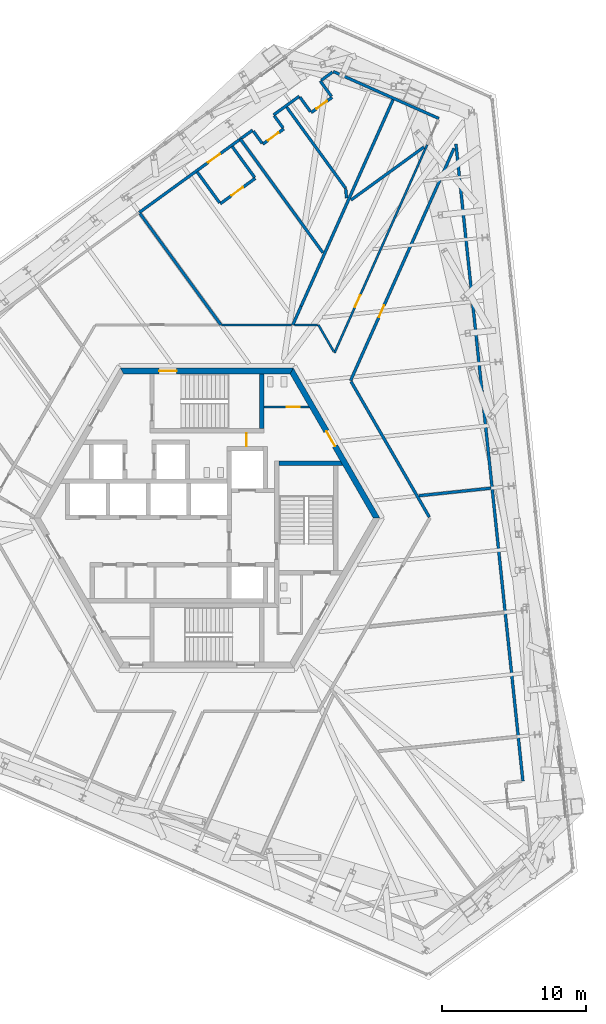
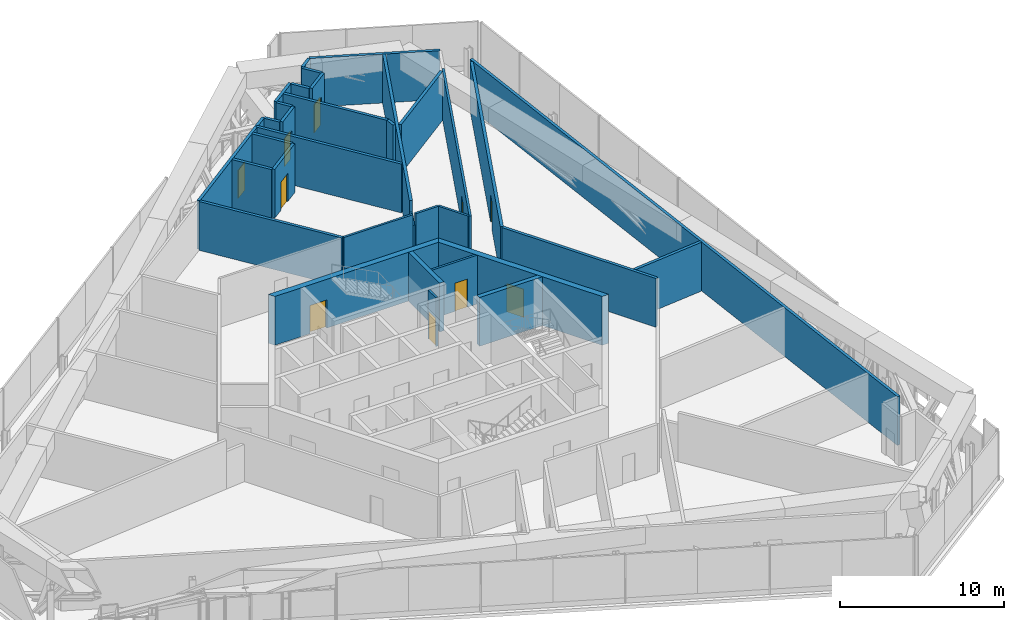
# One storey, part 20 of 30: 34 walls, 10 doors, 10 openings.
"""IFC4 building model written with IfcOpenShell, lengths in metres."""

from ifc_helpers import new_model, si_unit, direction, frame, frame_2d, origin, place, context, subcontext, project, spatial, polyline, rectangle, outline, extrude, source, transform, mapped, material, layer, layer_set, type_object, element, fill, save


model = new_model("IFC4")

# Units and contexts
model_context = context("Model", 3, precision=1e-05, world=origin(), true_north=direction((0.0, 1.0)))
body_context = subcontext(model_context, "Body", "Model", "MODEL_VIEW")
ifc_project = project(units=[si_unit("LENGTHUNIT", "METRE"), si_unit("AREAUNIT", "SQUARE_METRE"), si_unit("VOLUMEUNIT", "CUBIC_METRE"), si_unit("PLANEANGLEUNIT", "RADIAN"), si_unit("MASSUNIT", "GRAM", prefix="KILO")], contexts=[model_context])

# Site, building, storey
site_placement = place(None, origin())
site = spatial("IfcSite", under=ifc_project, at=site_placement, CompositionType="ELEMENT")
building_placement = place(site_placement, origin())
building = spatial("IfcBuilding", under=site, at=building_placement, Name="Triune Harvest Tower", CompositionType="ELEMENT")
storey_placement = place(building_placement, frame((0.0, 0.0, 94.5)))
storey = spatial("IfcBuildingStorey", under=building, at=storey_placement, Name="L23", CompositionType="ELEMENT", Elevation=94.5)

# Wall, opening, door
ifc_material_1 = material(Name="Concrete masonry unit", Category="masonry")
ifc_layer_1 = layer(ifc_material_1, 0.14990234375)
ifc_layer_set_1 = layer_set([ifc_layer_1], Name="Concrete masonry unit")
wall_type_1 = type_object("IfcWallType", Name="Block partition 150 unrated", PredefinedType="PARTITIONING", material=ifc_layer_set_1)
wall_1_placement = place(storey_placement, frame((3.949951171875, 7.699951171875, 0.0), z_axis=(0.0, 0.0, 1.0), x_axis=(1.0, 0.0, 0.0)))
wall_1 = element("IfcWall", 1, at=wall_1_placement, inside=storey, type_object=wall_type_1, Name="Wc women south wall", PredefinedType="PARTITIONING", context=body_context, shape_type="SweptSolid", body=[
    extrude(outline(polyline([(0.0, -0.074951171875), (0.0, 0.074951171875), (3.1015625, 0.074951171875), (3.18798828125, -0.074951171875), (0.0, -0.074951171875)])), origin(), (0.0, 0.0, 1.0), 3.639892578125),
])
opening_1_placement = place(wall_1_placement, frame((1.60009765625, 0.0, 0.0)))
opening_1 = element("IfcOpeningElement", 2, at=opening_1_placement, cuts=wall_1, Name="Opening CD-WW", PredefinedType="OPENING", context=body_context, shape_type="SweptSolid", body=[
    extrude(rectangle(XDim=0.89990234375, YDim=2.10009765625, at=frame_2d((0.449951171875, 1.050048828125))), frame((0.0, 0.0849609375, 0.0), z_axis=(0.0, -1.0, 0.0), x_axis=(1.0, 0.0, 0.0)), (0.0, 0.0, 1.0), 0.169921875),
])
ifc_material_2 = material(Name="Timber C24", Category="wood")
door_type_1 = type_object("IfcDoorType", Name="WC door 900", OperationType="SINGLE_SWING_LEFT", PredefinedType="DOOR", material=ifc_material_2)
door_1_placement = place(opening_1_placement, origin())
door_1 = element("IfcDoor", 3, at=door_1_placement, inside=storey, type_object=door_type_1, Name="Door CD-WW", OperationType="SINGLE_SWING_LEFT", OverallHeight=2.10009765625, OverallWidth=0.89990234375, PredefinedType="DOOR", context=body_context, shape_type="SweptSolid", body=[
    extrude(rectangle(XDim=0.89990234375, YDim=2.10009765625, at=frame_2d((0.449951171875, 1.050048828125))), frame((0.0, 0.02490234375, 0.0), z_axis=(0.0, -1.0, 0.0), x_axis=(1.0, 0.0, 0.0)), (0.0, 0.0, 1.0), 0.050048828125),
])
fill(opening_1, door_1)

wall_2_placement = place(storey_placement, frame((2.75, 4.9599609375, 0.0), z_axis=(0.0, 0.0, 1.0), x_axis=(0.0, 1.0, 0.0)))
wall_2 = element("IfcWall", 4, at=wall_2_placement, inside=storey, type_object=wall_type_1, Name="Wc men east b wall", PredefinedType="PARTITIONING", context=body_context, shape_type="SweptSolid", body=[
    extrude(rectangle(XDim=0.929931640625, YDim=0.14990234375, at=frame_2d((0.46484375, 0.0))), origin(), (0.0, 0.0, 1.0), 3.639892578125),
])
opening_2_placement = place(wall_2_placement, frame((0.014892578125, 0.0, 0.0)))
opening_2 = element("IfcOpeningElement", 5, at=opening_2_placement, cuts=wall_2, Name="Opening CD-WM", PredefinedType="OPENING", context=body_context, shape_type="SweptSolid", body=[
    extrude(rectangle(XDim=0.89990234375, YDim=2.10009765625, at=frame_2d((0.449951171875, 1.050048828125))), frame((0.0, 0.0849609375, 0.0), z_axis=(0.0, -1.0, 0.0), x_axis=(1.0, 0.0, 0.0)), (0.0, 0.0, 1.0), 0.169921875),
])
door_2_placement = place(opening_2_placement, origin())
door_2 = element("IfcDoor", 6, at=door_2_placement, inside=storey, type_object=door_type_1, Name="Door CD-WM", OperationType="SINGLE_SWING_LEFT", OverallHeight=2.10009765625, OverallWidth=0.89990234375, PredefinedType="DOOR", context=body_context, shape_type="SweptSolid", body=[
    extrude(rectangle(XDim=0.89990234375, YDim=2.10009765625, at=frame_2d((0.449951171875, 1.050048828125))), frame((0.0, 0.02490234375, 0.0), z_axis=(0.0, -1.0, 0.0), x_axis=(1.0, 0.0, 0.0)), (0.0, 0.0, 1.0), 0.050048828125),
])
fill(opening_2, door_2)

# Walls
ifc_material_3 = material(Name="Concrete 70 MPa", Category="concrete")
ifc_layer_2 = layer(ifc_material_3, 0.300048828125)
ifc_layer_set_2 = layer_set([ifc_layer_2], Name="Concrete 70 MPa")
wall_type_2 = type_object("IfcWallType", Name="Core wall 300", PredefinedType="SHEAR", material=ifc_layer_set_2)
wall_3_placement = place(storey_placement, frame((5.0, 3.800048828125, 0.0), z_axis=(0.0, 0.0, 1.0), x_axis=(1.0, 0.0, 0.0)))
element("IfcWall", 7, at=wall_3_placement, inside=storey, type_object=wall_type_2, Name="Stair e north wall", PredefinedType="SHEAR", context=body_context, shape_type="SweptSolid", body=[
    extrude(outline(polyline([(0.0, -0.14990234375), (0.0, 0.14990234375), (4.260009765625, 0.14990234375), (4.43310546875, -0.14990234375), (0.0, -0.14990234375)])), origin(), (0.0, 0.0, 1.0), 3.639892578125),
])
ifc_material_4 = material(Name="Gypsum board on steel studs", Category="steel")
ifc_layer_3 = layer(ifc_material_4, 0.14990234375)
ifc_layer_set_3 = layer_set([ifc_layer_3], Name="Gypsum board on steel studs")
wall_type_3 = type_object("IfcWallType", Name="Fire Partition 150 mm", PredefinedType="PARTITIONING", material=ifc_layer_set_3)
wall_4_placement = place(storey_placement, frame((7.73193359375, 13.392333984375, 0.0), z_axis=(0.0, 0.0, 1.0), x_axis=(0.499997854429, -0.866026642527, 0.0)))
element("IfcWall", 8, at=wall_4_placement, inside=storey, type_object=wall_type_3, Name="Partition L23 007", PredefinedType="PARTITIONING", context=body_context, shape_type="SweptSolid", body=[
    extrude(rectangle(XDim=2.123046875, YDim=0.14990234375, at=frame_2d((1.0615234375, 0.0))), origin(), (0.0, 0.0, 1.0), 3.639892578125),
])
wall_5_placement = place(storey_placement, frame((1.033203125, 13.392333984375, 0.0), z_axis=(0.0, 0.0, 1.0), x_axis=(1.0, 0.0, 0.0)))
element("IfcWall", 9, at=wall_5_placement, inside=storey, type_object=wall_type_3, Name="Partition L23 031", PredefinedType="PARTITIONING", context=body_context, shape_type="SweptSolid", body=[
    extrude(rectangle(XDim=4.852783203125, YDim=0.14990234375, at=frame_2d((2.42626953125, 0.0))), origin(), (0.0, 0.0, 1.0), 3.639892578125),
])

# Wall, opening, door
wall_6_placement = place(storey_placement, frame((8.853515625, 11.44970703125, 0.0), z_axis=(0.0, 0.0, 1.0), x_axis=(0.406740776357, 0.913543617376, 0.0)))
wall_6 = element("IfcWall", 10, at=wall_6_placement, inside=storey, type_object=wall_type_3, Name="Partition L23 057", PredefinedType="PARTITIONING", context=body_context, shape_type="SweptSolid", body=[
    extrude(rectangle(XDim=15.79345703125, YDim=0.14990234375, at=frame_2d((7.896728515625, 0.0))), origin(), (0.0, 0.0, 1.0), 3.639892578125),
])
opening_3_placement = place(wall_6_placement, frame((3.474609375, 0.0, 0.0)))
opening_3 = element("IfcOpeningElement", 11, at=opening_3_placement, cuts=wall_6, Name="Opening L23-004", PredefinedType="OPENING", context=body_context, shape_type="SweptSolid", body=[
    extrude(rectangle(XDim=0.89990234375, YDim=2.10009765625, at=frame_2d((0.449951171875, 1.050048828125))), frame((0.0, 0.0849609375, 0.0), z_axis=(0.0, -1.0, 0.0), x_axis=(1.0, 0.0, 0.0)), (0.0, 0.0, 1.0), 0.169921875),
])
ifc_material_5 = material(Name="Timber and steel door set", Category="steel")
door_type_2 = type_object("IfcDoorType", Name="Single leaf door FD30 left hand 900 x 2100", OperationType="SINGLE_SWING_LEFT", PredefinedType="DOOR", material=ifc_material_5)
door_3_placement = place(opening_3_placement, origin())
door_3 = element("IfcDoor", 12, at=door_3_placement, inside=storey, type_object=door_type_2, Name="Door L23-004 Dry Store Room 23.04", OperationType="SINGLE_SWING_LEFT", OverallHeight=2.10009765625, OverallWidth=0.89990234375, PredefinedType="DOOR", context=body_context, shape_type="SweptSolid", body=[
    extrude(rectangle(XDim=0.89990234375, YDim=2.10009765625, at=frame_2d((0.449951171875, 1.050048828125))), frame((0.0, 0.02490234375, 0.0), z_axis=(0.0, -1.0, 0.0), x_axis=(1.0, 0.0, 0.0)), (0.0, 0.0, 1.0), 0.050048828125),
])
fill(opening_3, door_3)

# Walls
ifc_material_6 = material(Name="Gypsum board on steel studs", Category="steel")
ifc_layer_4 = layer(ifc_material_6, 0.199951171875)
ifc_layer_set_4 = layer_set([ifc_layer_4], Name="Gypsum board on steel studs")
wall_type_4 = type_object("IfcWallType", Name="Fire Wall 200 mm", PredefinedType="PARTITIONING", material=ifc_layer_set_4)
wall_7_placement = place(storey_placement, frame((9.625, 22.8330078125, 0.0), z_axis=(0.0, 0.0, 1.0), x_axis=(0.104202190023, -0.994556133958, 0.0)))
element("IfcWall", 13, at=wall_7_placement, inside=storey, type_object=wall_type_4, Name="Partition L23 002", PredefinedType="PARTITIONING", context=body_context, shape_type="SweptSolid", body=[
    extrude(rectangle(XDim=0.658447265625, YDim=0.199951171875, at=frame_2d((0.3291015625, 0.0))), origin(), (0.0, 0.0, 1.0), 3.639892578125),
])
wall_8_placement = place(storey_placement, frame((17.271484375, 25.931884765625, 0.0), z_axis=(0.0, 0.0, 1.0), x_axis=(0.104535687096, -0.994521136087, 0.0)))
element("IfcWall", 14, at=wall_8_placement, inside=storey, type_object=wall_type_4, Name="Partition L23 004", PredefinedType="PARTITIONING", context=body_context, shape_type="SweptSolid", body=[
    extrude(rectangle(XDim=44.4091796875, YDim=0.199951171875, at=frame_2d((22.20458984375, 0.0))), origin(), (0.0, 0.0, 1.0), 3.639892578125),
])
wall_9_placement = place(storey_placement, frame((9.99609375, 9.470947265625, 0.0), z_axis=(0.0, 0.0, 1.0), x_axis=(0.499990842075, -0.86603069105, 0.0)))
element("IfcWall", 15, at=wall_9_placement, inside=storey, type_object=wall_type_4, Name="Partition L23 008", PredefinedType="PARTITIONING", context=body_context, shape_type="SweptSolid", body=[
    extrude(rectangle(XDim=10.866455078125, YDim=0.199951171875, at=frame_2d((5.43310546875, 0.0))), origin(), (0.0, 0.0, 1.0), 3.639892578125),
])
wall_10_placement = place(storey_placement, frame((-4.634765625, 21.116455078125, 0.0), z_axis=(0.0, 0.0, 1.0), x_axis=(0.587779352622, -0.809021280704, 0.0)))
element("IfcWall", 16, at=wall_10_placement, inside=storey, type_object=wall_type_4, Name="Partition L23 014", PredefinedType="PARTITIONING", context=body_context, shape_type="SweptSolid", body=[
    extrude(rectangle(XDim=9.547607421875, YDim=0.199951171875, at=frame_2d((4.77392578125, 0.0))), origin(), (0.0, 0.0, 1.0), 3.639892578125),
])
wall_11_placement = place(storey_placement, frame((2.326171875, 26.272705078125, 0.0), z_axis=(0.0, 0.0, 1.0), x_axis=(0.587769027487, -0.809028782138, 0.0)))
element("IfcWall", 17, at=wall_11_placement, inside=storey, type_object=wall_type_4, Name="Partition L23 017", PredefinedType="PARTITIONING", context=body_context, shape_type="SweptSolid", body=[
    extrude(rectangle(XDim=9.7353515625, YDim=0.199951171875, at=frame_2d((4.86767578125, 0.0))), origin(), (0.0, 0.0, 1.0), 3.639892578125),
])
wall_12_placement = place(storey_placement, frame((5.4794921875, 28.563720703125, 0.0), z_axis=(0.0, 0.0, 1.0), x_axis=(0.587819387899, -0.808992192305, 0.0)))
element("IfcWall", 18, at=wall_12_placement, inside=storey, type_object=wall_type_4, Name="Partition L23 020", PredefinedType="PARTITIONING", context=body_context, shape_type="SweptSolid", body=[
    extrude(rectangle(XDim=7.046875, YDim=0.199951171875, at=frame_2d((3.5234375, 0.0))), origin(), (0.0, 0.0, 1.0), 3.639892578125),
])
wall_13_placement = place(storey_placement, frame((6.45703125, 29.175048828125, 0.0), z_axis=(0.0, 0.0, 1.0), x_axis=(0.587738439246, -0.809051003974, 0.0)))
element("IfcWall", 19, at=wall_13_placement, inside=storey, type_object=wall_type_4, Name="Partition L23 021", PredefinedType="PARTITIONING", context=body_context, shape_type="SweptSolid", body=[
    extrude(rectangle(XDim=1.239990234375, YDim=0.199951171875, at=frame_2d((0.6201171875, 0.0))), origin(), (0.0, 0.0, 1.0), 3.639892578125),
])
wall_14_placement = place(storey_placement, frame((7.8662109375, 30.2978515625, 0.0), z_axis=(0.0, 0.0, 1.0), x_axis=(0.587797718958, -0.809007936665, 0.0)))
element("IfcWall", 20, at=wall_14_placement, inside=storey, type_object=wall_type_4, Name="Partition L23 022", PredefinedType="PARTITIONING", context=body_context, shape_type="SweptSolid", body=[
    extrude(rectangle(XDim=1.320068359375, YDim=0.199951171875, at=frame_2d((0.66015625, 0.0))), origin(), (0.0, 0.0, 1.0), 3.639892578125),
])
wall_15_placement = place(storey_placement, frame((8.771240234375, 30.955322265625, 0.0), z_axis=(0.0, 0.0, 1.0), x_axis=(0.913541076785, -0.4067464825, 0.0)))
element("IfcWall", 21, at=wall_15_placement, inside=storey, type_object=wall_type_4, Name="Partition L23 027", PredefinedType="PARTITIONING", context=body_context, shape_type="SweptSolid", body=[
    extrude(rectangle(XDim=8.0087890625, YDim=0.199951171875, at=frame_2d((4.00439453125, 0.0))), origin(), (0.0, 0.0, 1.0), 3.639892578125),
])
wall_16_placement = place(storey_placement, frame((9.9951171875, 22.043701171875, 0.0), z_axis=(0.0, 0.0, 1.0), x_axis=(0.80902135113, 0.587779255686, 0.0)))
element("IfcWall", 22, at=wall_16_placement, inside=storey, type_object=wall_type_4, Name="Partition L23 040", PredefinedType="PARTITIONING", context=body_context, shape_type="SweptSolid", body=[
    extrude(rectangle(XDim=6.25244140625, YDim=0.199951171875, at=frame_2d((3.126220703125, 0.0))), origin(), (0.0, 0.0, 1.0), 3.639892578125),
])

# Wall, opening, door
wall_17_placement = place(storey_placement, frame((0.93408203125, 21.787841796875, 0.0), z_axis=(0.0, 0.0, 1.0), x_axis=(0.808999938455, 0.587808727036, 0.0)))
wall_17 = element("IfcWall", 23, at=wall_17_placement, inside=storey, type_object=wall_type_4, Name="Partition L23 041", PredefinedType="PARTITIONING", context=body_context, shape_type="SweptSolid", body=[
    extrude(rectangle(XDim=3.0, YDim=0.199951171875, at=frame_2d((1.5, 0.0))), origin(), (0.0, 0.0, 1.0), 3.639892578125),
])
opening_4_placement = place(wall_17_placement, frame((0.949951171875, 0.0, 0.0)))
opening_4 = element("IfcOpeningElement", 24, at=opening_4_placement, cuts=wall_17, Name="Opening L23-009", PredefinedType="OPENING", context=body_context, shape_type="SweptSolid", body=[
    extrude(rectangle(XDim=1.0, YDim=2.10009765625, at=frame_2d((0.5, 1.050048828125))), frame((0.0, 0.10986328125, 0.0), z_axis=(0.0, -1.0, 0.0), x_axis=(1.0, 0.0, 0.0)), (0.0, 0.0, 1.0), 0.219970703125),
])
ifc_material_7 = material(Name="Timber and steel door set", Category="steel")
door_type_3 = type_object("IfcDoorType", Name="Wide single leaf door FD60 right hand 1000 x 2100", OperationType="SINGLE_SWING_RIGHT", PredefinedType="DOOR", material=ifc_material_7)
door_4_placement = place(opening_4_placement, origin())
door_4 = element("IfcDoor", 25, at=door_4_placement, inside=storey, type_object=door_type_3, Name="Door L23-009 Refuge Area 23.09", OperationType="SINGLE_SWING_RIGHT", OverallHeight=2.10009765625, OverallWidth=1.0, PredefinedType="DOOR", context=body_context, shape_type="SweptSolid", body=[
    extrude(rectangle(XDim=1.0, YDim=2.10009765625, at=frame_2d((0.5, 1.050048828125))), frame((0.0, 0.02490234375, 0.0), z_axis=(0.0, -1.0, 0.0), x_axis=(1.0, 0.0, 0.0)), (0.0, 0.0, 1.0), 0.050048828125),
])
fill(opening_4, door_4)

wall_18_placement = place(storey_placement, frame((7.23291015625, 28.107177734375, 0.0), z_axis=(0.0, 0.0, 1.0), x_axis=(0.808958916286, 0.58786518162, 0.0)))
wall_18 = element("IfcWall", 26, at=wall_18_placement, inside=storey, type_object=wall_type_4, Name="Partition L23 042", PredefinedType="PARTITIONING", context=body_context, shape_type="SweptSolid", body=[
    extrude(rectangle(XDim=1.7998046875, YDim=0.199951171875, at=frame_2d((0.89990234375, 0.0))), origin(), (0.0, 0.0, 1.0), 3.639892578125),
])
opening_5_placement = place(wall_18_placement, frame((0.449951171875, 0.0, 0.0)))
opening_5 = element("IfcOpeningElement", 27, at=opening_5_placement, cuts=wall_18, Name="Opening L23-008", PredefinedType="OPENING", context=body_context, shape_type="SweptSolid", body=[
    extrude(rectangle(XDim=0.89990234375, YDim=2.10009765625, at=frame_2d((0.449951171875, 1.050048828125))), frame((0.0, 0.10986328125, 0.0), z_axis=(0.0, -1.0, 0.0), x_axis=(1.0, 0.0, 0.0)), (0.0, 0.0, 1.0), 0.219970703125),
])
ifc_material_8 = material(Name="Timber and steel door set", Category="steel")
door_type_4 = type_object("IfcDoorType", Name="Single leaf door FD60 left hand 900 x 2100", OperationType="SINGLE_SWING_LEFT", PredefinedType="DOOR", material=ifc_material_8)
door_5_placement = place(opening_5_placement, origin())
door_5 = element("IfcDoor", 28, at=door_5_placement, inside=storey, type_object=door_type_4, Name="Door L23-008 Electrical Plant Room 23.08", OperationType="SINGLE_SWING_LEFT", OverallHeight=2.10009765625, OverallWidth=0.89990234375, PredefinedType="DOOR", context=body_context, shape_type="SweptSolid", body=[
    extrude(rectangle(XDim=0.89990234375, YDim=2.10009765625, at=frame_2d((0.449951171875, 1.050048828125))), frame((0.0, 0.02490234375, 0.0), z_axis=(0.0, -1.0, 0.0), x_axis=(1.0, 0.0, 0.0)), (0.0, 0.0, 1.0), 0.050048828125),
])
fill(opening_5, door_5)

wall_19_placement = place(storey_placement, frame((-4.6845703125, 21.178955078125, 0.0), z_axis=(0.0, 0.0, 1.0), x_axis=(0.809005483411, 0.587801095448, 0.0)))
wall_19 = element("IfcWall", 29, at=wall_19_placement, inside=storey, type_object=wall_type_4, Name="Partition L23 046", PredefinedType="PARTITIONING", context=body_context, shape_type="SweptSolid", body=[
    extrude(rectangle(XDim=9.7158203125, YDim=0.199951171875, at=frame_2d((4.85791015625, 0.0))), origin(), (0.0, 0.0, 1.0), 3.639892578125),
])
opening_6_placement = place(wall_19_placement, frame((5.9033203125, 0.0, 0.0)))
opening_6 = element("IfcOpeningElement", 30, at=opening_6_placement, cuts=wall_19, Name="Opening L23-020", PredefinedType="OPENING", context=body_context, shape_type="SweptSolid", body=[
    extrude(rectangle(XDim=1.0, YDim=2.10009765625, at=frame_2d((0.5, 1.050048828125))), frame((0.0, 0.10986328125, 0.0), z_axis=(0.0, -1.0, 0.0), x_axis=(1.0, 0.0, 0.0)), (0.0, 0.0, 1.0), 0.219970703125),
])
ifc_material_9 = material(Name="Timber and steel door set", Category="steel")
door_type_5 = type_object("IfcDoorType", Name="Wide single leaf door FD60 left hand 1000 x 2100", OperationType="SINGLE_SWING_LEFT", PredefinedType="DOOR", material=ifc_material_9)
door_6_placement = place(opening_6_placement, origin())
door_6 = element("IfcDoor", 31, at=door_6_placement, inside=storey, type_object=door_type_5, Name="Door L23-020 Refuge Lobby 23.20", OperationType="SINGLE_SWING_LEFT", OverallHeight=2.10009765625, OverallWidth=1.0, PredefinedType="DOOR", context=body_context, shape_type="SweptSolid", body=[
    extrude(rectangle(XDim=1.0, YDim=2.10009765625, at=frame_2d((0.5, 1.050048828125))), frame((0.0, 0.02490234375, 0.0), z_axis=(0.0, -1.0, 0.0), x_axis=(1.0, 0.0, 0.0)), (0.0, 0.0, 1.0), 0.050048828125),
])
fill(opening_6, door_6)

# Walls
wall_20_placement = place(storey_placement, frame((4.6318359375, 27.947998046875, 0.0), z_axis=(0.0, 0.0, 1.0), x_axis=(0.808995285619, 0.587815130671, 0.0)))
element("IfcWall", 32, at=wall_20_placement, inside=storey, type_object=wall_type_4, Name="Partition L23 047", PredefinedType="PARTITIONING", context=body_context, shape_type="SweptSolid", body=[
    extrude(rectangle(XDim=2.19873046875, YDim=0.199951171875, at=frame_2d((1.099365234375, 0.0))), origin(), (0.0, 0.0, 1.0), 3.639892578125),
])
wall_21_placement = place(storey_placement, frame((7.930419921875, 30.344482421875, 0.0), z_axis=(0.0, 0.0, 1.0), x_axis=(0.809041145468, 0.587752009729, 0.0)))
element("IfcWall", 33, at=wall_21_placement, inside=storey, type_object=wall_type_4, Name="Partition L23 048", PredefinedType="PARTITIONING", context=body_context, shape_type="SweptSolid", body=[
    extrude(rectangle(XDim=0.96875, YDim=0.199951171875, at=frame_2d((0.484375, 0.0))), origin(), (0.0, 0.0, 1.0), 3.639892578125),
])

# Wall, opening, door
wall_22_placement = place(storey_placement, frame((9.966064453125, 9.52294921875, 0.0), z_axis=(0.0, 0.0, 1.0), x_axis=(0.406735810366, 0.913545828389, 0.0)))
wall_22 = element("IfcWall", 34, at=wall_22_placement, inside=storey, type_object=wall_type_4, Name="Partition L23 055", PredefinedType="PARTITIONING", context=body_context, shape_type="SweptSolid", body=[
    extrude(rectangle(XDim=17.630859375, YDim=0.199951171875, at=frame_2d((8.8154296875, 0.0))), origin(), (0.0, 0.0, 1.0), 3.639892578125),
])
opening_7_placement = place(wall_22_placement, frame((4.8193359375, 0.0, 0.0)))
opening_7 = element("IfcOpeningElement", 35, at=opening_7_placement, cuts=wall_22, Name="Opening L23-005", PredefinedType="OPENING", context=body_context, shape_type="SweptSolid", body=[
    extrude(rectangle(XDim=0.89990234375, YDim=2.10009765625, at=frame_2d((0.449951171875, 1.050048828125))), frame((0.0, 0.10986328125, 0.0), z_axis=(0.0, -1.0, 0.0), x_axis=(1.0, 0.0, 0.0)), (0.0, 0.0, 1.0), 0.219970703125),
])
ifc_material_10 = material(Name="Timber and steel door set", Category="steel")
door_type_6 = type_object("IfcDoorType", Name="Single leaf door FD60 right hand 900 x 2100", OperationType="SINGLE_SWING_RIGHT", PredefinedType="DOOR", material=ifc_material_10)
door_7_placement = place(opening_7_placement, origin())
door_7 = element("IfcDoor", 36, at=door_7_placement, inside=storey, type_object=door_type_6, Name="Door L23-005 Chiller Plant Room 23.05", OperationType="SINGLE_SWING_RIGHT", OverallHeight=2.10009765625, OverallWidth=0.89990234375, PredefinedType="DOOR", context=body_context, shape_type="SweptSolid", body=[
    extrude(rectangle(XDim=0.89990234375, YDim=2.10009765625, at=frame_2d((0.449951171875, 1.050048828125))), frame((0.0, 0.02490234375, 0.0), z_axis=(0.0, -1.0, 0.0), x_axis=(1.0, 0.0, 0.0)), (0.0, 0.0, 1.0), 0.050048828125),
])
fill(opening_7, door_7)

# Walls
wall_23_placement = place(storey_placement, frame((5.962646484375, 13.392333984375, 0.0), z_axis=(0.0, 0.0, 1.0), x_axis=(0.406767660835, 0.913531647015, 0.0)))
element("IfcWall", 37, at=wall_23_placement, inside=storey, type_object=wall_type_4, Name="Partition L23 060", PredefinedType="PARTITIONING", context=body_context, shape_type="SweptSolid", body=[
    extrude(rectangle(XDim=1.40380859375, YDim=0.199951171875, at=frame_2d((0.701904296875, 0.0))), origin(), (0.0, 0.0, 1.0), 2.781494140625),
])
wall_24_placement = place(storey_placement, frame((6.53369140625, 14.6748046875, 0.0), z_axis=(0.0, 0.0, 1.0), x_axis=(0.406726819949, 0.913549831117, 0.0)))
element("IfcWall", 38, at=wall_24_placement, inside=storey, type_object=wall_type_4, Name="Partition L23 060a", PredefinedType="PARTITIONING", context=body_context, shape_type="SweptSolid", body=[
    extrude(rectangle(XDim=15.783203125, YDim=0.199951171875, at=frame_2d((7.8916015625, 0.0))), origin(), (0.0, 0.0, 1.0), 3.639892578125),
])

# Wall, opening, door
ifc_material_11 = material(Name="Concrete 70 MPa", Category="concrete")
ifc_layer_5 = layer(ifc_material_11, 0.39990234375)
ifc_layer_set_5 = layer_set([ifc_layer_5], Name="Concrete 70 MPa")
wall_type_5 = type_object("IfcWallType", Name="Core wall 400", PredefinedType="SHEAR", material=ifc_layer_set_5)
shared_shape_1 = source(origin(), body_context, "Body", "SweptSolid", [
    extrude(outline(polyline([(-0.115478515625, -0.199951171875), (11.884521484375, -0.199951171875), (11.653564453125, 0.199951171875), (0.115478515625, 0.199951171875), (-0.115478515625, -0.199951171875)])), origin(), (0.0, 0.0, 1.0), 3.639892578125),
])
wall_25_placement = place(storey_placement, frame((11.76904296875, 0.0, 0.0), z_axis=(0.0, 0.0, 1.0), x_axis=(-0.499996592174, 0.866027371285, 0.0)))
wall_25 = element("IfcWall", 39, at=wall_25_placement, inside=storey, type_object=wall_type_5, Name="Hexagon 0 wall", PredefinedType="SHEAR", context=body_context, shape_type="MappedRepresentation", body=[
    mapped(shared_shape_1, transform((0.0, 0.0, 0.0), scale=1.0)),
])
opening_8_placement = place(wall_25_placement, frame((5.75048828125, 0.0, 0.0)))
opening_8 = element("IfcOpeningElement", 40, at=opening_8_placement, cuts=wall_25, Name="Opening CD-WCP", PredefinedType="OPENING", context=body_context, shape_type="SweptSolid", body=[
    extrude(rectangle(XDim=1.199951171875, YDim=2.10009765625, at=frame_2d((0.60009765625, 1.050048828125))), frame((0.0, 0.2099609375, 0.0), z_axis=(0.0, -1.0, 0.0), x_axis=(1.0, 0.0, 0.0)), (0.0, 0.0, 1.0), 0.419921875),
])
ifc_material_12 = material(Name="Steel S235", Category="steel")
door_type_7 = type_object("IfcDoorType", Name="Lobby door 1200 FD120", OperationType="SINGLE_SWING_LEFT", PredefinedType="DOOR", material=ifc_material_12)
door_8_placement = place(opening_8_placement, frame((1.199951171875, 0.0, 0.0), z_axis=(0.0, 0.0, 1.0), x_axis=(-1.0, 0.0, 0.0)))
door_8 = element("IfcDoor", 41, at=door_8_placement, inside=storey, type_object=door_type_7, Name="Door CD-WCP", OperationType="SINGLE_SWING_RIGHT", OverallHeight=2.10009765625, OverallWidth=1.199951171875, PredefinedType="DOOR", context=body_context, shape_type="SweptSolid", body=[
    extrude(rectangle(XDim=1.199951171875, YDim=2.10009765625, at=frame_2d((0.60009765625, 1.050048828125))), frame((0.0, 0.02490234375, 0.0), z_axis=(0.0, -1.0, 0.0), x_axis=(1.0, 0.0, 0.0)), (0.0, 0.0, 1.0), 0.050048828125),
])
fill(opening_8, door_8)

wall_26_placement = place(storey_placement, frame((5.884521484375, 10.1923828125, 0.0), z_axis=(0.0, 0.0, 1.0), x_axis=(-1.0, 0.0, 0.0)))
wall_26 = element("IfcWall", 42, at=wall_26_placement, inside=storey, type_object=wall_type_5, Name="Hexagon 1 wall", PredefinedType="SHEAR", context=body_context, shape_type="MappedRepresentation", body=[
    mapped(shared_shape_1, transform((0.0, 0.0, 0.0), scale=1.0)),
])
opening_9_placement = place(wall_26_placement, frame((7.984619140625, 0.0, 0.0)))
opening_9 = element("IfcOpeningElement", 43, at=opening_9_placement, cuts=wall_26, Name="Opening CD-S1P", PredefinedType="OPENING", context=body_context, shape_type="SweptSolid", body=[
    extrude(rectangle(XDim=1.199951171875, YDim=2.10009765625, at=frame_2d((0.60009765625, 1.050048828125))), frame((0.0, 0.2099609375, 0.0), z_axis=(0.0, -1.0, 0.0), x_axis=(1.0, 0.0, 0.0)), (0.0, 0.0, 1.0), 0.419921875),
])
ifc_material_13 = material(Name="Steel S235", Category="steel")
door_type_8 = type_object("IfcDoorType", Name="Stair door 1200 FD120", OperationType="SINGLE_SWING_LEFT", PredefinedType="DOOR", material=ifc_material_13)
door_9_placement = place(opening_9_placement, frame((1.199951171875, 0.0, 0.0), z_axis=(0.0, 0.0, 1.0), x_axis=(-1.0, 0.0, 0.0)))
door_9 = element("IfcDoor", 44, at=door_9_placement, inside=storey, type_object=door_type_8, Name="Door CD-S1P", OperationType="SINGLE_SWING_RIGHT", OverallHeight=2.10009765625, OverallWidth=1.199951171875, PredefinedType="DOOR", context=body_context, shape_type="SweptSolid", body=[
    extrude(rectangle(XDim=1.199951171875, YDim=2.10009765625, at=frame_2d((0.60009765625, 1.050048828125))), frame((0.0, 0.02490234375, 0.0), z_axis=(0.0, -1.0, 0.0), x_axis=(1.0, 0.0, 0.0)), (0.0, 0.0, 1.0), 0.050048828125),
])
fill(opening_9, door_9)

# Wall
shared_shape_2 = source(origin(), body_context, "Body", "SweptSolid", [
    extrude(outline(polyline([(0.0, -0.14990234375), (0.0, 0.14990234375), (3.80419921875, 0.14990234375), (3.80419921875, -0.14990234375), (0.0, -0.14990234375)])), origin(), (0.0, 0.0, 1.0), 3.639892578125),
])
wall_27_placement = place(storey_placement, frame((3.800048828125, 6.18994140625, 0.0), z_axis=(0.0, 0.0, 1.0), x_axis=(0.0, 1.0, 0.0)))
element("IfcWall", 45, at=wall_27_placement, inside=storey, type_object=wall_type_2, Name="Stair n east wall", PredefinedType="SHEAR", context=body_context, shape_type="MappedRepresentation", body=[
    mapped(shared_shape_2, transform((0.0, 0.0, 0.0), scale=1.0)),
])

# Wall, opening, door
shared_shape_3 = source(origin(), body_context, "Body", "SweptSolid", [
    extrude(rectangle(XDim=1.800048828125, YDim=0.199951171875, at=frame_2d((0.89990234375, 0.0))), origin(), (0.0, 0.0, 1.0), 3.639892578125),
])
wall_28_placement = place(storey_placement, frame((3.880859375, 25.9189453125, 0.0), z_axis=(0.0, 0.0, 1.0), x_axis=(0.809005783898, 0.58780068188, 0.0)))
wall_28 = element("IfcWall", 46, at=wall_28_placement, inside=storey, type_object=wall_type_4, Name="Partition L23 043", PredefinedType="PARTITIONING", context=body_context, shape_type="MappedRepresentation", body=[
    mapped(shared_shape_3, transform((0.0, 0.0, 0.0), scale=1.0)),
])
opening_10_placement = place(wall_28_placement, frame((0.449951171875, 0.0, 0.0)))
opening_10 = element("IfcOpeningElement", 47, at=opening_10_placement, cuts=wall_28, Name="Opening L23-007", PredefinedType="OPENING", context=body_context, shape_type="SweptSolid", body=[
    extrude(rectangle(XDim=0.89990234375, YDim=2.10009765625, at=frame_2d((0.449951171875, 1.050048828125))), frame((0.0, 0.10986328125, 0.0), z_axis=(0.0, -1.0, 0.0), x_axis=(1.0, 0.0, 0.0)), (0.0, 0.0, 1.0), 0.219970703125),
])
door_10_placement = place(opening_10_placement, origin())
door_10 = element("IfcDoor", 48, at=door_10_placement, inside=storey, type_object=door_type_6, Name="Door L23-007 Telecom Plant Room 23.07", OperationType="SINGLE_SWING_RIGHT", OverallHeight=2.10009765625, OverallWidth=0.89990234375, PredefinedType="DOOR", context=body_context, shape_type="SweptSolid", body=[
    extrude(rectangle(XDim=0.89990234375, YDim=2.10009765625, at=frame_2d((0.449951171875, 1.050048828125))), frame((0.0, 0.02490234375, 0.0), z_axis=(0.0, -1.0, 0.0), x_axis=(1.0, 0.0, 0.0)), (0.0, 0.0, 1.0), 0.050048828125),
])
fill(opening_10, door_10)

# Walls
shared_shape_4 = source(origin(), body_context, "Body", "SweptSolid", [
    extrude(rectangle(XDim=2.650146484375, YDim=0.199951171875, at=frame_2d((1.3251953125, 0.0))), origin(), (0.0, 0.0, 1.0), 3.639892578125),
])
for number, where, z_axis, x_axis, name in (
    (49, (-0.670654296875, 23.99658203125, 0.0), (0.0, 0.0, 1.0), (0.587815610607, -0.808994936898, 0.0), "Partition L23 015"),
    (50, (1.75634765625, 25.760009765625, 0.0), (0.0, 0.0, 1.0), (0.587815610607, -0.808994936898, 0.0), "Partition L23 016"),
):
    element("IfcWall", number, at=place(storey_placement, frame(where, z_axis=z_axis, x_axis=x_axis)), inside=storey, type_object=wall_type_4, Name=name, PredefinedType="PARTITIONING", context=body_context, shape_type="MappedRepresentation", body=[
        mapped(shared_shape_4, transform((0.0, 0.0, 0.0), scale=1.0)),
    ])
shared_shape_5 = source(origin(), body_context, "Body", "SweptSolid", [
    extrude(rectangle(XDim=1.0400390625, YDim=0.199951171875, at=frame_2d((0.52001953125, 0.0))), origin(), (0.0, 0.0, 1.0), 3.639892578125),
])
for number, where, z_axis, x_axis, name in (
    (51, (3.222412109375, 26.8251953125, 0.0), (0.0, 0.0, 1.0), (0.587725016154, -0.809060755065, 0.0), "Partition L23 018"),
    (52, (4.6787109375, 27.883056640625, 0.0), (0.0, 0.0, 1.0), (0.587836639716, -0.808979656733, 0.0), "Partition L23 019"),
):
    element("IfcWall", number, at=place(storey_placement, frame(where, z_axis=z_axis, x_axis=x_axis)), inside=storey, type_object=wall_type_4, Name=name, PredefinedType="PARTITIONING", context=body_context, shape_type="MappedRepresentation", body=[
        mapped(shared_shape_5, transform((0.0, 0.0, 0.0), scale=1.0)),
    ])
shared_shape_6 = source(origin(), body_context, "Body", "SweptSolid", [
    extrude(rectangle(XDim=1.59619140625, YDim=0.14990234375, at=frame_2d((0.798095703125, 0.0))), origin(), (0.0, 0.0, 1.0), 3.639892578125),
])
wall_29_placement = place(storey_placement, frame((6.0859375, 13.392333984375, 0.0), z_axis=(0.0, 0.0, 1.0), x_axis=(1.0, 0.0, 0.0)))
element("IfcWall", 53, at=wall_29_placement, inside=storey, type_object=wall_type_3, Name="Partition L23 032", PredefinedType="PARTITIONING", context=body_context, shape_type="MappedRepresentation", body=[
    mapped(shared_shape_6, transform((0.0, 0.0, 0.0), scale=1.0)),
])
shared_shape_7 = source(origin(), body_context, "Body", "SweptSolid", [
    extrude(rectangle(XDim=5.01806640625, YDim=0.199951171875, at=frame_2d((2.509033203125, 0.0))), origin(), (0.0, 0.0, 1.0), 3.639892578125),
])
wall_30_placement = place(storey_placement, frame((14.708740234375, 1.5458984375, 0.0), z_axis=(0.0, 0.0, 1.0), x_axis=(0.994524098697, 0.104507497872, 0.0)))
element("IfcWall", 54, at=wall_30_placement, inside=storey, type_object=wall_type_4, Name="Partition L23 038", PredefinedType="PARTITIONING", context=body_context, shape_type="MappedRepresentation", body=[
    mapped(shared_shape_7, transform((0.0, 0.0, 0.0), scale=1.0)),
])

save(model, "model.ifc")
